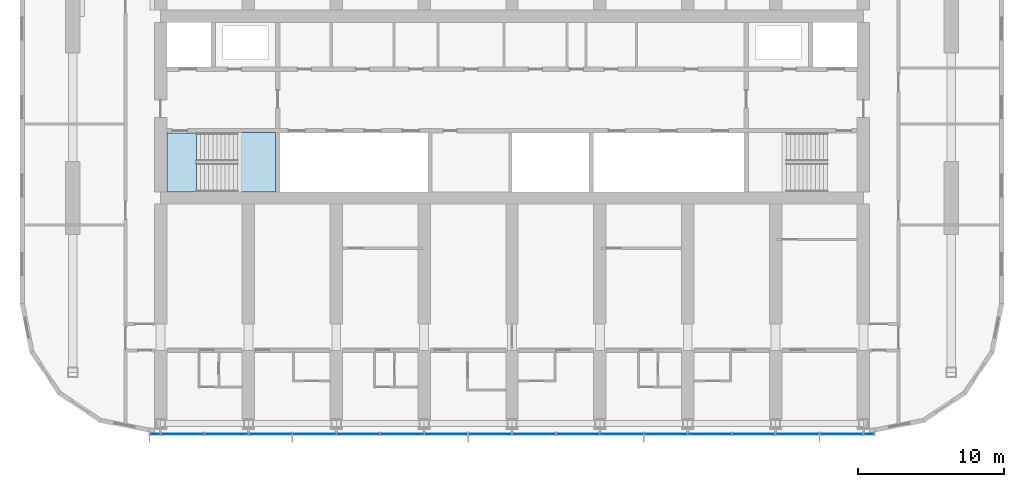
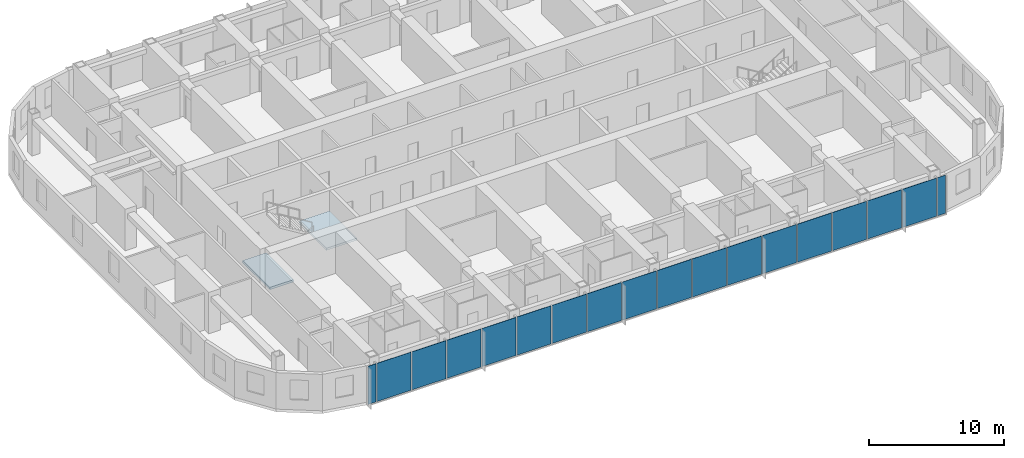
# One storey, part 7 of 22: 18 plates, 2 slabs, 2 elements without a shape of their own.
"""IFC4 building model written with IfcOpenShell, lengths in metres."""

from ifc_helpers import new_model, si_unit, direction, frame, origin, origin_2d, place, context, subcontext, project, spatial, polyline, rectangle, outline, extrude, material, layer, layer_set, type_object, element, aggregate, save


model = new_model("IFC4")

# Units and contexts
model_context = context("Model", 3, precision=1e-05, world=origin(), true_north=direction((0.0, 1.0)))
body_context = subcontext(model_context, "Body", "Model", "MODEL_VIEW")
ifc_project = project(units=[si_unit("LENGTHUNIT", "METRE"), si_unit("AREAUNIT", "SQUARE_METRE"), si_unit("VOLUMEUNIT", "CUBIC_METRE"), si_unit("PLANEANGLEUNIT", "RADIAN"), si_unit("MASSUNIT", "GRAM", prefix="KILO")], contexts=[model_context])

# Site, building, storey
site_placement = place(None, origin())
site = spatial("IfcSite", under=ifc_project, at=site_placement, CompositionType="ELEMENT")
building_placement = place(site_placement, origin())
building = spatial("IfcBuilding", under=site, at=building_placement, Name="Orbita Commons", CompositionType="ELEMENT")
storey_placement = place(building_placement, frame((0.0, 0.0, 159.85009765625)))
storey = spatial("IfcBuildingStorey", under=building, at=storey_placement, Name="L39", CompositionType="ELEMENT", Elevation=159.85009765625)

# Curtain wall, plates
ifc_material_1 = material(Name="Anodised aluminium frame, pale silver", Category="aluminium")
curtain_wall_type = type_object("IfcCurtainWallType", Name="Unitised curtain wall CW-U, full-height vision", PredefinedType="NOTDEFINED", material=ifc_material_1)
curtain_wall_placement = place(storey_placement, origin())
curtain_wall = element("IfcCurtainWall", 1, at=curtain_wall_placement, inside=storey, type_object=curtain_wall_type, Name="Curtain wall south L39", PredefinedType="NOTDEFINED")
ifc_material_2 = material(Name="Clear double glazing", Category="glass")
ifc_layer_1 = layer(ifc_material_2, 0.031982421875)
ifc_layer_set_1 = layer_set([ifc_layer_1], Name="Clear double glazing")
plate_type = type_object("IfcPlateType", Name="Full-height vision panel, clear glazing 32", PredefinedType="CURTAIN_PANEL", material=ifc_layer_set_1)
plate_1_placement = place(storey_placement, frame((17.6201171875, 9.68994140625, -0.14990234375), z_axis=(0.0, 0.0, 1.0), x_axis=(1.0, 0.0, 0.0)))
plate_1 = element("IfcPlate", 2, at=plate_1_placement, type_object=plate_type, Name="Panel 1.1 CW-L39-S", PredefinedType="CURTAIN_PANEL", context=body_context, shape_type="SweptSolid", body=[
    extrude(rectangle(XDim=0.679931640625, YDim=0.031982421875, at=origin_2d()), origin(), (0.0, 0.0, 1.0), 3.449951171875),
])
plate_2_placement = place(storey_placement, frame((19.5, 9.68994140625, -0.14990234375), z_axis=(0.0, 0.0, 1.0), x_axis=(1.0, 0.0, 0.0)))
plate_2 = element("IfcPlate", 3, at=plate_2_placement, type_object=plate_type, Name="Panel 2.1 CW-L39-S", PredefinedType="CURTAIN_PANEL", context=body_context, shape_type="SweptSolid", body=[
    extrude(rectangle(XDim=2.919921875, YDim=0.031982421875, at=origin_2d()), origin(), (0.0, 0.0, 1.0), 3.449951171875),
])
plate_3_placement = place(storey_placement, frame((22.5, 9.68994140625, -0.14990234375), z_axis=(0.0, 0.0, 1.0), x_axis=(1.0, 0.0, 0.0)))
plate_3 = element("IfcPlate", 4, at=plate_3_placement, type_object=plate_type, Name="Panel 3.1 CW-L39-S", PredefinedType="CURTAIN_PANEL", context=body_context, shape_type="SweptSolid", body=[
    extrude(rectangle(XDim=2.919921875, YDim=0.031982421875, at=origin_2d()), origin(), (0.0, 0.0, 1.0), 3.449951171875),
])
plate_4_placement = place(storey_placement, frame((25.5, 9.68994140625, -0.14990234375), z_axis=(0.0, 0.0, 1.0), x_axis=(1.0, 0.0, 0.0)))
plate_4 = element("IfcPlate", 5, at=plate_4_placement, type_object=plate_type, Name="Panel 4.1 CW-L39-S", PredefinedType="CURTAIN_PANEL", context=body_context, shape_type="SweptSolid", body=[
    extrude(rectangle(XDim=2.919921875, YDim=0.031982421875, at=origin_2d()), origin(), (0.0, 0.0, 1.0), 3.449951171875),
])
plate_5_placement = place(storey_placement, frame((28.5, 9.68994140625, -0.14990234375), z_axis=(0.0, 0.0, 1.0), x_axis=(1.0, 0.0, 0.0)))
plate_5 = element("IfcPlate", 6, at=plate_5_placement, type_object=plate_type, Name="Panel 5.1 CW-L39-S", PredefinedType="CURTAIN_PANEL", context=body_context, shape_type="SweptSolid", body=[
    extrude(rectangle(XDim=2.919921875, YDim=0.031982421875, at=origin_2d()), origin(), (0.0, 0.0, 1.0), 3.449951171875),
])
plate_6_placement = place(storey_placement, frame((31.5, 9.68994140625, -0.14990234375), z_axis=(0.0, 0.0, 1.0), x_axis=(1.0, 0.0, 0.0)))
plate_6 = element("IfcPlate", 7, at=plate_6_placement, type_object=plate_type, Name="Panel 6.1 CW-L39-S", PredefinedType="CURTAIN_PANEL", context=body_context, shape_type="SweptSolid", body=[
    extrude(rectangle(XDim=2.919921875, YDim=0.031982421875, at=origin_2d()), origin(), (0.0, 0.0, 1.0), 3.449951171875),
])
plate_7_placement = place(storey_placement, frame((34.5, 9.68994140625, -0.14990234375), z_axis=(0.0, 0.0, 1.0), x_axis=(1.0, 0.0, 0.0)))
plate_7 = element("IfcPlate", 8, at=plate_7_placement, type_object=plate_type, Name="Panel 7.1 CW-L39-S", PredefinedType="CURTAIN_PANEL", context=body_context, shape_type="SweptSolid", body=[
    extrude(rectangle(XDim=2.919921875, YDim=0.031982421875, at=origin_2d()), origin(), (0.0, 0.0, 1.0), 3.449951171875),
])
plate_8_placement = place(storey_placement, frame((37.5, 9.68994140625, -0.14990234375), z_axis=(0.0, 0.0, 1.0), x_axis=(1.0, 0.0, 0.0)))
plate_8 = element("IfcPlate", 9, at=plate_8_placement, type_object=plate_type, Name="Panel 8.1 CW-L39-S", PredefinedType="CURTAIN_PANEL", context=body_context, shape_type="SweptSolid", body=[
    extrude(rectangle(XDim=2.919921875, YDim=0.031982421875, at=origin_2d()), origin(), (0.0, 0.0, 1.0), 3.449951171875),
])
plate_9_placement = place(storey_placement, frame((40.5, 9.68994140625, -0.14990234375), z_axis=(0.0, 0.0, 1.0), x_axis=(1.0, 0.0, 0.0)))
plate_9 = element("IfcPlate", 10, at=plate_9_placement, type_object=plate_type, Name="Panel 9.1 CW-L39-S", PredefinedType="CURTAIN_PANEL", context=body_context, shape_type="SweptSolid", body=[
    extrude(rectangle(XDim=2.919921875, YDim=0.031982421875, at=origin_2d()), origin(), (0.0, 0.0, 1.0), 3.449951171875),
])
plate_10_placement = place(storey_placement, frame((43.5, 9.68994140625, -0.14990234375), z_axis=(0.0, 0.0, 1.0), x_axis=(1.0, 0.0, 0.0)))
plate_10 = element("IfcPlate", 11, at=plate_10_placement, type_object=plate_type, Name="Panel 10.1 CW-L39-S", PredefinedType="CURTAIN_PANEL", context=body_context, shape_type="SweptSolid", body=[
    extrude(rectangle(XDim=2.919921875, YDim=0.031982421875, at=origin_2d()), origin(), (0.0, 0.0, 1.0), 3.449951171875),
])
plate_11_placement = place(storey_placement, frame((46.5, 9.68994140625, -0.14990234375), z_axis=(0.0, 0.0, 1.0), x_axis=(1.0, 0.0, 0.0)))
plate_11 = element("IfcPlate", 12, at=plate_11_placement, type_object=plate_type, Name="Panel 11.1 CW-L39-S", PredefinedType="CURTAIN_PANEL", context=body_context, shape_type="SweptSolid", body=[
    extrude(rectangle(XDim=2.919921875, YDim=0.031982421875, at=origin_2d()), origin(), (0.0, 0.0, 1.0), 3.449951171875),
])
plate_12_placement = place(storey_placement, frame((49.5, 9.68994140625, -0.14990234375), z_axis=(0.0, 0.0, 1.0), x_axis=(1.0, 0.0, 0.0)))
plate_12 = element("IfcPlate", 13, at=plate_12_placement, type_object=plate_type, Name="Panel 12.1 CW-L39-S", PredefinedType="CURTAIN_PANEL", context=body_context, shape_type="SweptSolid", body=[
    extrude(rectangle(XDim=2.919921875, YDim=0.031982421875, at=origin_2d()), origin(), (0.0, 0.0, 1.0), 3.449951171875),
])
plate_13_placement = place(storey_placement, frame((52.5, 9.68994140625, -0.14990234375), z_axis=(0.0, 0.0, 1.0), x_axis=(1.0, 0.0, 0.0)))
plate_13 = element("IfcPlate", 14, at=plate_13_placement, type_object=plate_type, Name="Panel 13.1 CW-L39-S", PredefinedType="CURTAIN_PANEL", context=body_context, shape_type="SweptSolid", body=[
    extrude(rectangle(XDim=2.919921875, YDim=0.031982421875, at=origin_2d()), origin(), (0.0, 0.0, 1.0), 3.449951171875),
])
plate_14_placement = place(storey_placement, frame((55.5, 9.68994140625, -0.14990234375), z_axis=(0.0, 0.0, 1.0), x_axis=(1.0, 0.0, 0.0)))
plate_14 = element("IfcPlate", 15, at=plate_14_placement, type_object=plate_type, Name="Panel 14.1 CW-L39-S", PredefinedType="CURTAIN_PANEL", context=body_context, shape_type="SweptSolid", body=[
    extrude(rectangle(XDim=2.919921875, YDim=0.031982421875, at=origin_2d()), origin(), (0.0, 0.0, 1.0), 3.449951171875),
])
plate_15_placement = place(storey_placement, frame((58.5, 9.68994140625, -0.14990234375), z_axis=(0.0, 0.0, 1.0), x_axis=(1.0, 0.0, 0.0)))
plate_15 = element("IfcPlate", 16, at=plate_15_placement, type_object=plate_type, Name="Panel 15.1 CW-L39-S", PredefinedType="CURTAIN_PANEL", context=body_context, shape_type="SweptSolid", body=[
    extrude(rectangle(XDim=2.919921875, YDim=0.031982421875, at=origin_2d()), origin(), (0.0, 0.0, 1.0), 3.449951171875),
])
plate_16_placement = place(storey_placement, frame((61.5, 9.68994140625, -0.14990234375), z_axis=(0.0, 0.0, 1.0), x_axis=(1.0, 0.0, 0.0)))
plate_16 = element("IfcPlate", 17, at=plate_16_placement, type_object=plate_type, Name="Panel 16.1 CW-L39-S", PredefinedType="CURTAIN_PANEL", context=body_context, shape_type="SweptSolid", body=[
    extrude(rectangle(XDim=2.919921875, YDim=0.031982421875, at=origin_2d()), origin(), (0.0, 0.0, 1.0), 3.449951171875),
])
plate_17_placement = place(storey_placement, frame((64.5, 9.68994140625, -0.14990234375), z_axis=(0.0, 0.0, 1.0), x_axis=(1.0, 0.0, 0.0)))
plate_17 = element("IfcPlate", 18, at=plate_17_placement, type_object=plate_type, Name="Panel 17.1 CW-L39-S", PredefinedType="CURTAIN_PANEL", context=body_context, shape_type="SweptSolid", body=[
    extrude(rectangle(XDim=2.919921875, YDim=0.031982421875, at=origin_2d()), origin(), (0.0, 0.0, 1.0), 3.449951171875),
])
plate_18_placement = place(storey_placement, frame((66.3798828125, 9.68994140625, -0.14990234375), z_axis=(0.0, 0.0, 1.0), x_axis=(1.0, 0.0, 0.0)))
plate_18 = element("IfcPlate", 19, at=plate_18_placement, type_object=plate_type, Name="Panel 18.1 CW-L39-S", PredefinedType="CURTAIN_PANEL", context=body_context, shape_type="SweptSolid", body=[
    extrude(rectangle(XDim=0.679931640625, YDim=0.031982421875, at=origin_2d()), origin(), (0.0, 0.0, 1.0), 3.449951171875),
])
aggregate(curtain_wall, [plate_1, plate_2, plate_3, plate_4, plate_5, plate_6, plate_7, plate_8, plate_9, plate_10, plate_11, plate_12, plate_13, plate_14, plate_15, plate_16, plate_17, plate_18])

# Stair, slabs
ifc_material_3 = material(Name="Precast concrete C40/50", Category="concrete")
stair_type = type_object("IfcStairType", Name="Exit stair S1 2 flights 11 risers 170", PredefinedType="HALF_TURN_STAIR", material=ifc_material_3)
stair_placement = place(storey_placement, origin())
stair = element("IfcStair", 20, at=stair_placement, inside=storey, type_object=stair_type, Name="Exit stair S1 L39", PredefinedType="HALF_TURN_STAIR")
ifc_material_4 = material(Name="Concrete C40/50", Category="concrete")
ifc_layer_2 = layer(ifc_material_4, 0.199951171875)
ifc_layer_set_2 = layer_set([ifc_layer_2], Name="Concrete C40/50")
slab_type = type_object("IfcSlabType", Name="Stair landing 200", PredefinedType="LANDING", material=ifc_layer_set_2)
slab_1_placement = place(storey_placement, frame((0.0, 0.0, -0.2001953125)))
slab_1 = element("IfcSlab", 21, at=slab_1_placement, type_object=slab_type, Name="S1 landing 1", PredefinedType="LANDING", context=body_context, shape_type="SweptSolid", body=[
    extrude(outline(polyline([(18.425048828125, 26.22509765625), (20.449951171875, 26.22509765625), (20.449951171875, 30.25), (18.425048828125, 30.25), (18.425048828125, 26.22509765625)])), origin(), (0.0, 0.0, 1.0), 0.2001953125),
])
slab_2_placement = place(storey_placement, frame((0.0, 0.0, 1.6748046875)))
slab_2 = element("IfcSlab", 22, at=slab_2_placement, type_object=slab_type, Name="S1 landing 2", PredefinedType="LANDING", context=body_context, shape_type="SweptSolid", body=[
    extrude(outline(polyline([(23.25, 26.2099609375), (25.864990234375, 26.2099609375), (25.864990234375, 30.264892578125), (23.25, 30.264892578125), (23.25, 26.2099609375)])), origin(), (0.0, 0.0, 1.0), 0.2001953125),
])
aggregate(stair, [slab_1, slab_2])

save(model, "model.ifc")
